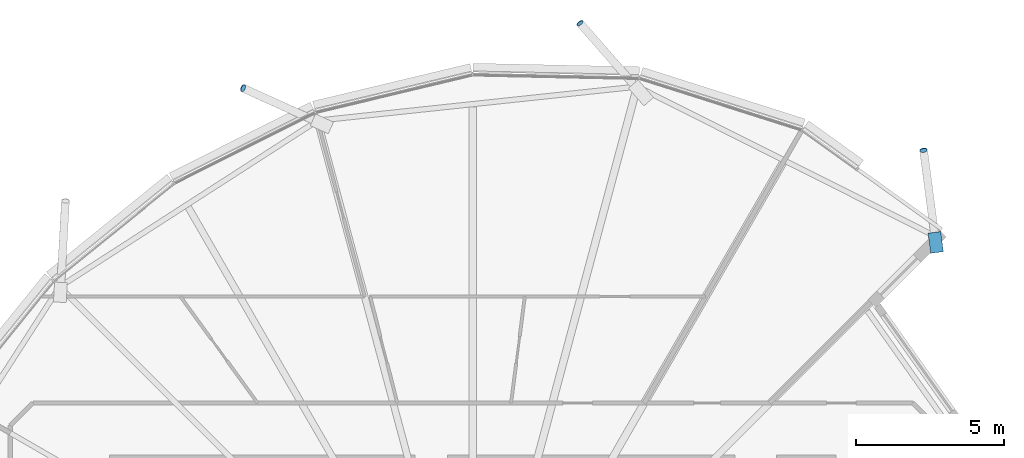
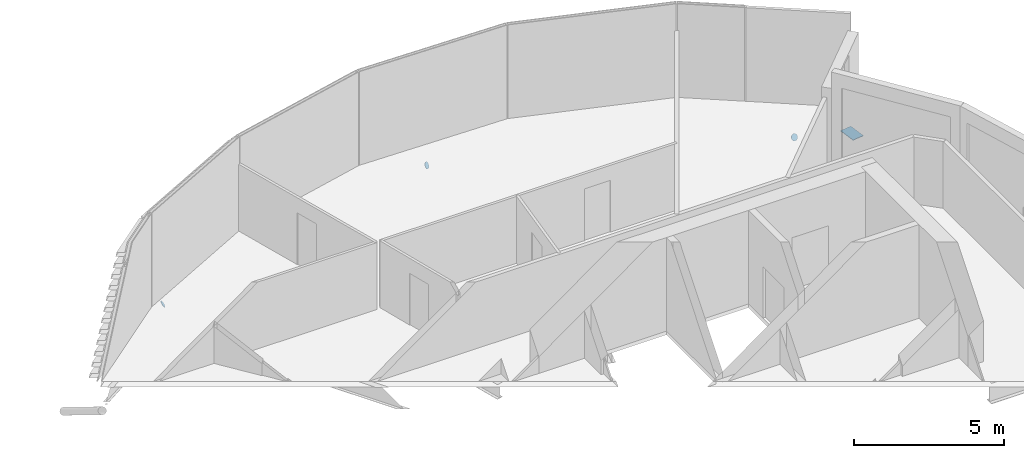
# One storey, part 31 of 37: 4 discrete accessories.
"""IFC4 building model written with IfcOpenShell, lengths in metres."""

from ifc_helpers import new_model, si_unit, direction, frame, origin, origin_2d, place, context, subcontext, project, spatial, polyline, rectangle, circle, outline, extrude, material, material_profile, profile_set, type_object, element, save


model = new_model("IFC4")

# Units and contexts
model_context = context("Model", 3, precision=1e-05, world=origin(), true_north=direction((0.0, 1.0)))
body_context = subcontext(model_context, "Body", "Model", "MODEL_VIEW")
ifc_project = project(units=[si_unit("LENGTHUNIT", "METRE"), si_unit("AREAUNIT", "SQUARE_METRE"), si_unit("VOLUMEUNIT", "CUBIC_METRE"), si_unit("PLANEANGLEUNIT", "RADIAN"), si_unit("MASSUNIT", "GRAM", prefix="KILO")], contexts=[model_context])

# Site, building, storey
site_placement = place(None, origin())
site = spatial("IfcSite", under=ifc_project, at=site_placement, CompositionType="ELEMENT")
building_placement = place(site_placement, origin())
building = spatial("IfcBuilding", under=site, at=building_placement, Name="Rimbun Link Towers", CompositionType="ELEMENT")
storey_placement = place(building_placement, frame((0.0, 0.0, 166.5)))
storey = spatial("IfcBuildingStorey", under=building, at=storey_placement, Name="L40", CompositionType="ELEMENT", Elevation=166.5)

# Discrete accessories
ifc_material_1 = material(Name="Steel S355J2H", Category="steel")
ifc_material_profile_1 = material_profile(ifc_material_1, circle(Radius=0.1240234375, at=origin_2d()), Name="PL D248")
ifc_profile_set_1 = profile_set([ifc_material_profile_1], Name="Steel S355J2H")
discrete_accessory_type_1 = type_object("IfcDiscreteAccessoryType", Name="Link foot sealing plate D248X20", PredefinedType="BRACKET", material=ifc_profile_set_1)
for number, where, z_axis, x_axis, name in (
    (1, (47.01123046875, 18.6025390625, -2.665283203125), (-0.110026423098, 0.843535910417, -0.525681799245), (-0.991600411186, -0.129339184068, 0.0), "Link foot sealing plate T2 L40 00"),
    (2, (35.384033203125, 22.906005859375, -2.343505859375), (-0.587951036741, 0.685942876198, -0.428714297624), (-0.759256602365, -0.650791373456, 0.0), "Link foot sealing plate T2 L40 02"),
    (3, (23.98291015625, 20.709716796875, -2.648681640625), (-0.770300095098, 0.342355597821, -0.537987368005), (-0.406138466053, -0.91381154862, 0.0), "Link foot sealing plate T2 L40 04"),
):
    element("IfcDiscreteAccessory", number, at=place(storey_placement, frame(where, z_axis=z_axis, x_axis=x_axis)), inside=storey, type_object=discrete_accessory_type_1, Name=name, PredefinedType="BRACKET", context=body_context, shape_type="SweptSolid", body=[
        extrude(circle(Radius=0.1240234375, at=origin_2d()), origin(), (0.0, 0.0, 1.0), 0.02001953125),
    ])
ifc_material_2 = material(Name="Steel S355J2H", Category="steel")
ifc_material_profile_2 = material_profile(ifc_material_2, rectangle(XDim=0.43310546875, YDim=0.43310546875, at=origin_2d()), Name="PL 433x433")
ifc_profile_set_2 = profile_set([ifc_material_profile_2], Name="Steel S355J2H")
discrete_accessory_type_2 = type_object("IfcDiscreteAccessoryType", Name="Link head end plate 433X20", PredefinedType="BRACKET", material=ifc_profile_set_2)
discrete_accessory_placement = place(storey_placement, frame((0.0, 0.0, -0.772705078125)))
element("IfcDiscreteAccessory", 4, at=discrete_accessory_placement, inside=storey, type_object=discrete_accessory_type_2, Name="Link head end plate T2 L40 00", PredefinedType="BRACKET", context=body_context, shape_type="SweptSolid", body=[
    extrude(outline(polyline([(47.6806640625, 15.177490234375), (47.5908203125, 15.860107421875), (47.16162109375, 15.8037109375), (47.25146484375, 15.120849609375), (47.6806640625, 15.177490234375)])), origin(), (0.0, 0.0, 1.0), 0.02001953125),
])

save(model, "model.ifc")
